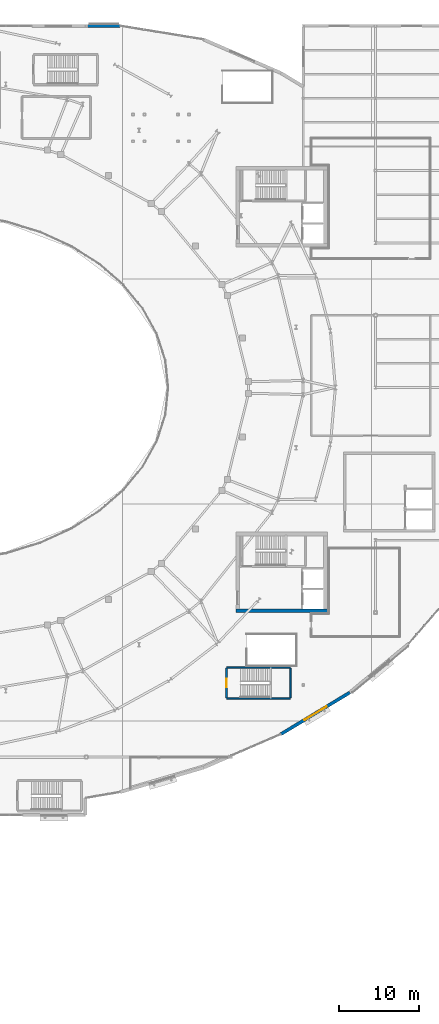
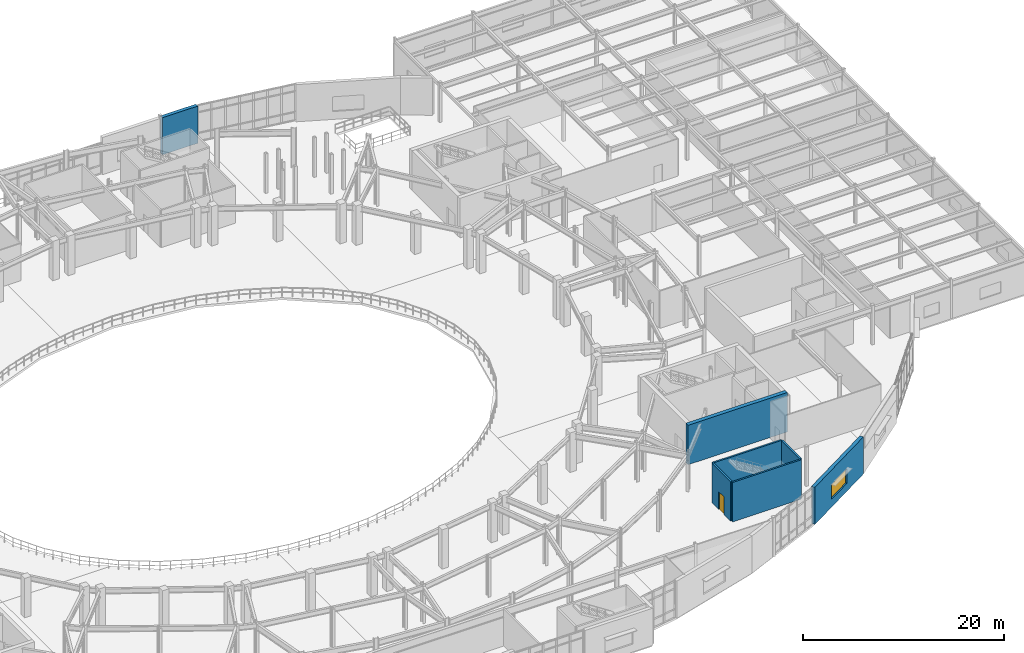
# One storey, part 64 of 86: 7 walls, 1 door, 1 window, 2 openings.
"""IFC4 building model written with IfcOpenShell, lengths in metres."""

import ifcopenshell
import ifcopenshell.guid

model = None  # the IFC model being written
_history = None  # IfcOwnerHistory: only IFC2X3 demands one
_inside = {}  # id of a spatial element -> (the spatial element, [elements in it])
_under = {}  # id of a project, library or spatial element -> (it, [spatial elements below it])
_declared = {}  # id of a project -> (the project, [libraries it declares])
_typed = {}  # id of a type object -> (the type object, [elements of that type])
_made_of = {}  # id of a material, layer set ... -> (it, [elements and type objects made of it])


def new_model(schema):
    """Start an empty IFC model of exactly this schema.

    Asked for "IFC4X3", IfcOpenShell would pick the latest addendum, in which some entities
    have other attributes; the version numbers below select the first issue.
    IFC2X3 requires an IfcOwnerHistory on every rooted entity: one is made here for all.
    """
    global model, _history
    if schema == "IFC4X3":
        model = ifcopenshell.file(schema_version=(4, 3, 0, 0))
    else:
        model = ifcopenshell.file(schema=schema)
    _inside.clear()
    _under.clear()
    _declared.clear()
    _typed.clear()
    _made_of.clear()
    _history = None
    if model.schema == "IFC2X3":
        org = make("IfcOrganization", Name="unknown")
        user = make(
            "IfcPersonAndOrganization",
            ThePerson=make("IfcPerson", FamilyName="unknown"),
            TheOrganization=org,
        )
        app = make(
            "IfcApplication",
            ApplicationDeveloper=org,
            Version="unknown",
            ApplicationFullName="unknown",
            ApplicationIdentifier="unknown",
        )
        _history = make(
            "IfcOwnerHistory",
            OwningUser=user,
            OwningApplication=app,
            ChangeAction="ADDED",
            CreationDate=0,
        )
    return model


def make(cls, **values):
    """One entity of the class cls with the attributes given. An attribute that is None is left unset."""
    return model.create_entity(
        cls, **{name: value for name, value in values.items() if value is not None}
    )


def rooted(cls, **values):
    """An entity with a GlobalId (a new one), such as an element, a storey or a relation."""
    return make(cls, GlobalId=ifcopenshell.guid.new(), OwnerHistory=_history, **values)


def si_unit(unit_type, name, prefix=None):
    """IfcSIUnit, for example si_unit("LENGTHUNIT", "METRE", prefix="MILLI")."""
    return make("IfcSIUnit", UnitType=unit_type, Prefix=prefix, Name=name)


def assignment(units):
    """IfcUnitAssignment: the units of a project."""
    return None if units is None else make("IfcUnitAssignment", Units=units)


def point(xyz):
    """IfcCartesianPoint."""
    return None if xyz is None else make("IfcCartesianPoint", Coordinates=xyz)


def direction(xyz):
    """IfcDirection."""
    return None if xyz is None else make("IfcDirection", DirectionRatios=xyz)


def frame(location, z_axis=None, x_axis=None):
    """IfcAxis2Placement3D, a coordinate frame: its origin and axes. An axis left out is left unset."""
    return make(
        "IfcAxis2Placement3D",
        Location=point(location),
        Axis=direction(z_axis),
        RefDirection=direction(x_axis),
    )


def frame_2d(location, x_axis=None):
    """IfcAxis2Placement2D, a coordinate frame in the plane: its origin and x axis."""
    return make(
        "IfcAxis2Placement2D", Location=point(location), RefDirection=direction(x_axis)
    )


def origin():
    """The frame at (0, 0, 0) with its axes left unset."""
    return frame((0.0, 0.0, 0.0))


def place(relative_to, where):
    """IfcLocalPlacement: puts the frame where relative to a parent placement (None: the world)."""
    return make(
        "IfcLocalPlacement", PlacementRelTo=relative_to, RelativePlacement=where
    )


def context(
    kind, dimensions, precision=None, world=None, true_north=None, identifier=None
):
    """IfcGeometricRepresentationContext, for example the 3D "Model" context."""
    return make(
        "IfcGeometricRepresentationContext",
        ContextIdentifier=identifier,
        ContextType=kind,
        CoordinateSpaceDimension=dimensions,
        Precision=precision,
        WorldCoordinateSystem=world,
        TrueNorth=true_north,
    )


def subcontext(parent, identifier, kind, view, scale=None):
    """IfcGeometricRepresentationSubContext, for example "Body" below "Model"."""
    return make(
        "IfcGeometricRepresentationSubContext",
        ContextIdentifier=identifier,
        ContextType=kind,
        ParentContext=parent,
        TargetScale=scale,
        TargetView=view,
    )


def project(units=None, contexts=None):
    """IfcProject with its units and contexts."""
    return rooted(
        "IfcProject",
        Name="project",
        RepresentationContexts=contexts,
        UnitsInContext=assignment(units),
    )


def spatial(cls, under=None, at=None, **own):
    """A site, building, storey or space (cls), placed at a placement, below another one or the project."""
    s = rooted(cls, ObjectPlacement=at, **own)
    if under is not None:
        _under.setdefault(under.id(), (under, []))[1].append(s)
    return s


def profile(cls, at=None, kind="AREA", **sizes):
    """A parametric profile (cls). Its sizes go by their IFC names, for example OverallWidth=200.0."""
    return make(cls, ProfileType=kind, Position=at, **sizes)


def rectangle(**sizes):
    """IfcRectangleProfileDef."""
    return profile("IfcRectangleProfileDef", **sizes)


def extrude(swept, where, along, depth):
    """IfcExtrudedAreaSolid: the profile swept, set in the frame where, extruded along a direction by depth."""
    return make(
        "IfcExtrudedAreaSolid",
        SweptArea=swept,
        Position=where,
        ExtrudedDirection=direction(along),
        Depth=depth,
    )


def shape(context_of_items, identifier, shape_type, items):
    """IfcShapeRepresentation: the items that make up one representation, for example the "Body"."""
    return make(
        "IfcShapeRepresentation",
        ContextOfItems=context_of_items,
        RepresentationIdentifier=identifier,
        RepresentationType=shape_type,
        Items=items,
    )


def material(Name=None, Category=None):
    """IfcMaterial."""
    return make("IfcMaterial", Name=Name, Category=Category)


def layer(
    of_material, thickness, ventilated=None, Name=None, Category=None, Priority=None
):
    """IfcMaterialLayer: one layer of a wall or slab, of a material (None: an air gap)."""
    return make(
        "IfcMaterialLayer",
        Material=of_material,
        LayerThickness=thickness,
        IsVentilated=ventilated,
        Name=Name,
        Category=Category,
        Priority=Priority,
    )


def layer_set(layers, Name=None):
    """IfcMaterialLayerSet."""
    return make("IfcMaterialLayerSet", MaterialLayers=layers, LayerSetName=Name)


def made_of(thing, what):
    """Note that an element or type object is made of a material, layer set ...; save() writes the relation."""
    if what is not None:
        _made_of.setdefault(what.id(), (what, []))[1].append(thing)
    return thing


def type_object(cls, material=None, **own):
    """A type object (cls), such as IfcWallType, which elements share."""
    return made_of(rooted(cls, **own), material)


def element(
    cls,
    number,
    at=None,
    inside=None,
    cuts=None,
    type_object=None,
    material=None,
    context=None,
    identifier="Body",
    shape_type=None,
    held_by="IfcProductDefinitionShape",
    body=None,
    shapes=None,
    **own,
):
    """One element of the class cls, such as IfcWall. Its Tag is "e" and its number.

    at: its placement. inside: the storey or other place that contains it. cuts: it is an
    opening in that element (IfcRelVoidsElement). A single representation is given by context,
    identifier, shape_type and body (its items); several are given by shapes. held_by: the class
    of the entity that holds the representations. save() writes the other relations.
    """
    e = rooted(cls, Tag="e%d" % number, ObjectPlacement=at, **own)
    if body is not None:
        shapes = [shape(context, identifier, shape_type, body)]
    if shapes is not None:
        e.Representation = make(held_by, Representations=shapes)
    if inside is not None:
        _inside.setdefault(inside.id(), (inside, []))[1].append(e)
    if cuts is not None:
        rooted(
            "IfcRelVoidsElement", RelatingBuildingElement=cuts, RelatedOpeningElement=e
        )
    if type_object is not None:
        _typed.setdefault(type_object.id(), (type_object, []))[1].append(e)
    return made_of(e, material)


def fill(opening, filler):
    """IfcRelFillsElement: the door or window that sits in an opening."""
    return rooted(
        "IfcRelFillsElement",
        RelatingOpeningElement=opening,
        RelatedBuildingElement=filler,
    )


def aggregate(whole, parts):
    """IfcRelAggregates: a whole, such as a stair, and the parts it consists of."""
    return rooted("IfcRelAggregates", RelatingObject=whole, RelatedObjects=parts)


def save(model, path):
    """Write the relations noted so far, then the file.

    IfcRelAggregates (storeys below a building ...), IfcRelContainedInSpatialStructure (elements
    in a storey), IfcRelDefinesByType, IfcRelAssociatesMaterial and IfcRelDeclares: one each for
    every whole, place, type object, material and project.
    """
    for whole, parts in _under.values():
        aggregate(whole, parts)
    for where, things in _inside.values():
        rooted(
            "IfcRelContainedInSpatialStructure",
            RelatedElements=things,
            RelatingStructure=where,
        )
    for kind, things in _typed.values():
        rooted("IfcRelDefinesByType", RelatedObjects=things, RelatingType=kind)
    for what, things in _made_of.values():
        rooted("IfcRelAssociatesMaterial", RelatedObjects=things, RelatingMaterial=what)
    for by, libraries in _declared.values():
        rooted("IfcRelDeclares", RelatingContext=by, RelatedDefinitions=libraries)
    model.write(path)


model = new_model("IFC4")

# Units and contexts
model_context = context("Model", 3, precision=1e-05, world=origin(), true_north=direction((0.0, 1.0)))
body_context = subcontext(model_context, "Body", "Model", "MODEL_VIEW")
ifc_project = project(units=[si_unit("LENGTHUNIT", "METRE"), si_unit("AREAUNIT", "SQUARE_METRE"), si_unit("VOLUMEUNIT", "CUBIC_METRE"), si_unit("PLANEANGLEUNIT", "RADIAN"), si_unit("MASSUNIT", "GRAM", prefix="KILO")], contexts=[model_context])

# Site, building, storey
site_placement = place(None, origin())
site = spatial("IfcSite", under=ifc_project, at=site_placement, CompositionType="ELEMENT")
building_placement = place(site_placement, origin())
building = spatial("IfcBuilding", under=site, at=building_placement, Name="Glasvene Arena", CompositionType="ELEMENT")
storey_placement = place(building_placement, frame((0.0, 0.0, 5.39990234375)))
storey = spatial("IfcBuildingStorey", under=building, at=storey_placement, Name="L01", CompositionType="ELEMENT", Elevation=5.39990234375)

# Walls
ifc_material_1 = material(Name="Concrete C40/50", Category="concrete")
ifc_layer_1 = layer(ifc_material_1, 0.449951171875)
ifc_layer_set_1 = layer_set([ifc_layer_1], Name="Concrete C40/50")
wall_type_1 = type_object("IfcWallType", Name="WL-CORE-450", PredefinedType="SHEAR", material=ifc_layer_set_1)
wall_1_placement = place(storey_placement, frame((129.60009765625, 45.22509765625, 0.0), z_axis=(0.0, 0.0, 1.0), x_axis=(1.0, 0.0, 0.0)))
element("IfcWall", 1, at=wall_1_placement, inside=storey, type_object=wall_type_1, Name="Core C4 South-East shear wall S L01", PredefinedType="SHEAR", context=body_context, shape_type="SweptSolid", body=[
    extrude(rectangle(XDim=11.39990234375, YDim=0.449951171875, at=frame_2d((5.699951171875, 0.0))), origin(), (0.0, 0.0, 1.0), 4.800048828125),
])
ifc_material_2 = material(Name="Coursed pale Irish limestone", Category="masonry")
ifc_layer_2 = layer(ifc_material_2, 0.39990234375)
ifc_layer_set_2 = layer_set([ifc_layer_2], Name="Coursed pale Irish limestone")
wall_type_2 = type_object("IfcWallType", Name="WL-EXT-LIM-400", PredefinedType="STANDARD", material=ifc_layer_set_2)
wall_2_placement = place(storey_placement, frame((111.152099609375, 118.0, 0.0), z_axis=(0.0, 0.0, 1.0), x_axis=(1.0, 0.0, 0.0)))
element("IfcWall", 2, at=wall_2_placement, inside=storey, type_object=wall_type_2, Name="External facade wall EW-L01-0076", PredefinedType="STANDARD", context=body_context, shape_type="SweptSolid", body=[
    extrude(rectangle(XDim=4.05078125, YDim=0.39990234375, at=frame_2d((2.025390625, 0.0))), origin(), (0.0, 0.0, 1.0), 4.52001953125),
])

# Wall, opening, window
wall_3_placement = place(storey_placement, frame((143.8056640625, 35.043701171875, 0.0), z_axis=(0.0, 0.0, 1.0), x_axis=(-0.855806756957, -0.517295655062, 0.0)))
wall_3 = element("IfcWall", 3, at=wall_3_placement, inside=storey, type_object=wall_type_2, Name="External facade wall EW-L01-0092", PredefinedType="STANDARD", context=body_context, shape_type="SweptSolid", body=[
    extrude(rectangle(XDim=10.017822265625, YDim=0.39990234375, at=frame_2d((5.0087890625, 0.0))), origin(), (0.0, 0.0, 1.0), 4.52001953125),
])
opening_1_placement = place(wall_3_placement, frame((3.408935546875, 0.0, 0.949951171875)))
opening_1 = element("IfcOpeningElement", 4, at=opening_1_placement, cuts=wall_3, Name="Opening W-03", PredefinedType="OPENING", context=body_context, shape_type="SweptSolid", body=[
    extrude(rectangle(XDim=3.199951171875, YDim=1.800048828125, at=frame_2d((1.60009765625, 0.89990234375))), frame((0.0, 0.2099609375, 0.0), z_axis=(0.0, -1.0, 0.0), x_axis=(1.0, 0.0, 0.0)), (0.0, 0.0, 1.0), 0.419921875),
])
ifc_material_3 = material(Name="Low-emissivity laminated double glazing", Category="glass")
window_type = type_object("IfcWindowType", Name="WN-CONC-320x180", PartitioningType="TRIPLE_PANEL_VERTICAL", PredefinedType="WINDOW", material=ifc_material_3)
window_placement = place(opening_1_placement, origin())
window = element("IfcWindow", 5, at=window_placement, inside=storey, type_object=window_type, Name="Facade window WN-CONC-320x180 L01-0043", OverallHeight=1.800048828125, OverallWidth=3.199951171875, PartitioningType="SINGLE_PANEL", PredefinedType="WINDOW", context=body_context, shape_type="SweptSolid", body=[
    extrude(rectangle(XDim=3.199951171875, YDim=1.800048828125, at=frame_2d((1.60009765625, 0.89990234375))), frame((0.0, 0.030029296875, 0.0), z_axis=(0.0, -1.0, 0.0), x_axis=(1.0, 0.0, 0.0)), (0.0, 0.0, 1.0), 0.06005859375),
])
fill(opening_1, window)

# Wall
ifc_layer_3 = layer(ifc_material_1, 0.199951171875)
ifc_layer_set_3 = layer_set([ifc_layer_3], Name="Concrete C40/50")
wall_type_3 = type_object("IfcWallType", Name="WL-SHAFT-200", PredefinedType="SHEAR", material=ifc_layer_set_3)
wall_4_placement = place(storey_placement, frame((128.449951171875, 34.280029296875, 0.0), z_axis=(0.0, 0.0, 1.0), x_axis=(1.0, 0.0, 0.0)))
element("IfcWall", 6, at=wall_4_placement, inside=storey, type_object=wall_type_3, Name="Escape stair shaft wall ST-06 L01 S", PredefinedType="SHEAR", context=body_context, shape_type="SweptSolid", body=[
    extrude(rectangle(XDim=7.949951171875, YDim=0.199951171875, at=frame_2d((3.97509765625, 0.0))), origin(), (0.0, 0.0, 1.0), 4.800048828125),
])

# Wall, opening, door
wall_5_placement = place(storey_placement, frame((128.449951171875, 34.382080078125, 0.0), z_axis=(0.0, 0.0, 1.0), x_axis=(0.0, 1.0, 0.0)))
wall_5 = element("IfcWall", 7, at=wall_5_placement, inside=storey, type_object=wall_type_3, Name="Escape stair shaft wall ST-06 L01 W", PredefinedType="SHEAR", context=body_context, shape_type="SweptSolid", body=[
    extrude(rectangle(XDim=3.68603515625, YDim=0.199951171875, at=frame_2d((1.843017578125, 0.0))), origin(), (0.0, 0.0, 1.0), 4.800048828125),
])
opening_2_placement = place(wall_5_placement, frame((1.29296875, 0.0, 0.0)))
opening_2 = element("IfcOpeningElement", 8, at=opening_2_placement, cuts=wall_5, Name="Opening D-04", PredefinedType="OPENING", context=body_context, shape_type="SweptSolid", body=[
    extrude(rectangle(XDim=1.10009765625, YDim=2.14990234375, at=frame_2d((0.550048828125, 1.074951171875))), frame((0.0, 0.10986328125, 0.0), z_axis=(0.0, -1.0, 0.0), x_axis=(1.0, 0.0, 0.0)), (0.0, 0.0, 1.0), 0.219970703125),
])
ifc_material_4 = material(Name="Painted fire-resisting steel", Category="steel")
door_type = type_object("IfcDoorType", Name="DR-FD60-1100", OperationType="NOTDEFINED", PredefinedType="DOOR", material=ifc_material_4)
door_placement = place(opening_2_placement, frame((1.10009765625, 0.0, 0.0), z_axis=(0.0, 0.0, 1.0), x_axis=(-1.0, 0.0, 0.0)))
door = element("IfcDoor", 9, at=door_placement, inside=storey, type_object=door_type, Name="Protected escape stair door ST-06 L01", OperationType="SINGLE_SWING_LEFT", OverallHeight=2.14990234375, OverallWidth=1.10009765625, PredefinedType="DOOR", context=body_context, shape_type="SweptSolid", body=[
    extrude(rectangle(XDim=1.10009765625, YDim=2.14990234375, at=frame_2d((0.550048828125, 1.074951171875))), frame((0.0, 0.02490234375, 0.0), z_axis=(0.0, -1.0, 0.0), x_axis=(1.0, 0.0, 0.0)), (0.0, 0.0, 1.0), 0.050048828125),
])
fill(opening_2, door)

# Walls
wall_6_placement = place(storey_placement, frame((136.39990234375, 34.382080078125, 0.0), z_axis=(0.0, 0.0, 1.0), x_axis=(0.0, 1.0, 0.0)))
element("IfcWall", 10, at=wall_6_placement, inside=storey, type_object=wall_type_3, Name="Escape stair shaft wall ST-06 L01 E", PredefinedType="SHEAR", context=body_context, shape_type="SweptSolid", body=[
    extrude(rectangle(XDim=3.68603515625, YDim=0.199951171875, at=frame_2d((1.843017578125, 0.0))), origin(), (0.0, 0.0, 1.0), 4.800048828125),
])
wall_7_placement = place(storey_placement, frame((128.449951171875, 38.169921875, 0.0), z_axis=(0.0, 0.0, 1.0), x_axis=(1.0, 0.0, 0.0)))
element("IfcWall", 11, at=wall_7_placement, inside=storey, type_object=wall_type_3, Name="Escape stair shaft wall ST-06 L01 N", PredefinedType="SHEAR", context=body_context, shape_type="SweptSolid", body=[
    extrude(rectangle(XDim=7.949951171875, YDim=0.199951171875, at=frame_2d((3.97509765625, 0.0))), origin(), (0.0, 0.0, 1.0), 4.800048828125),
])

save(model, "model.ifc")
